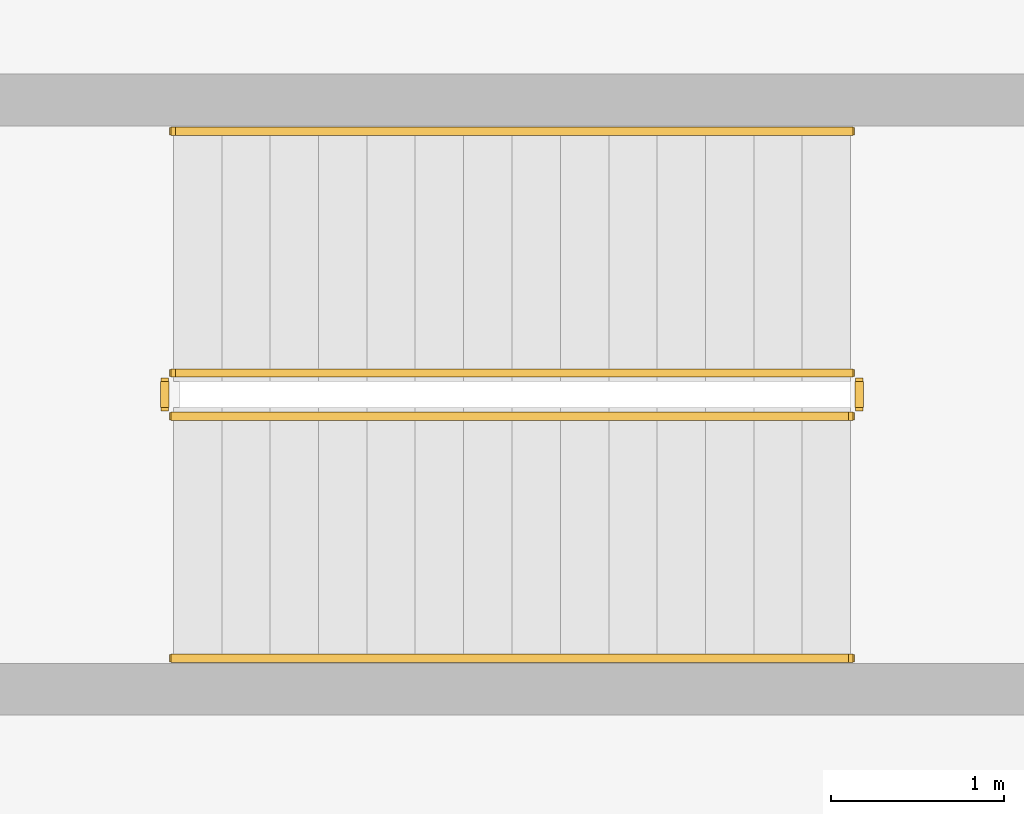
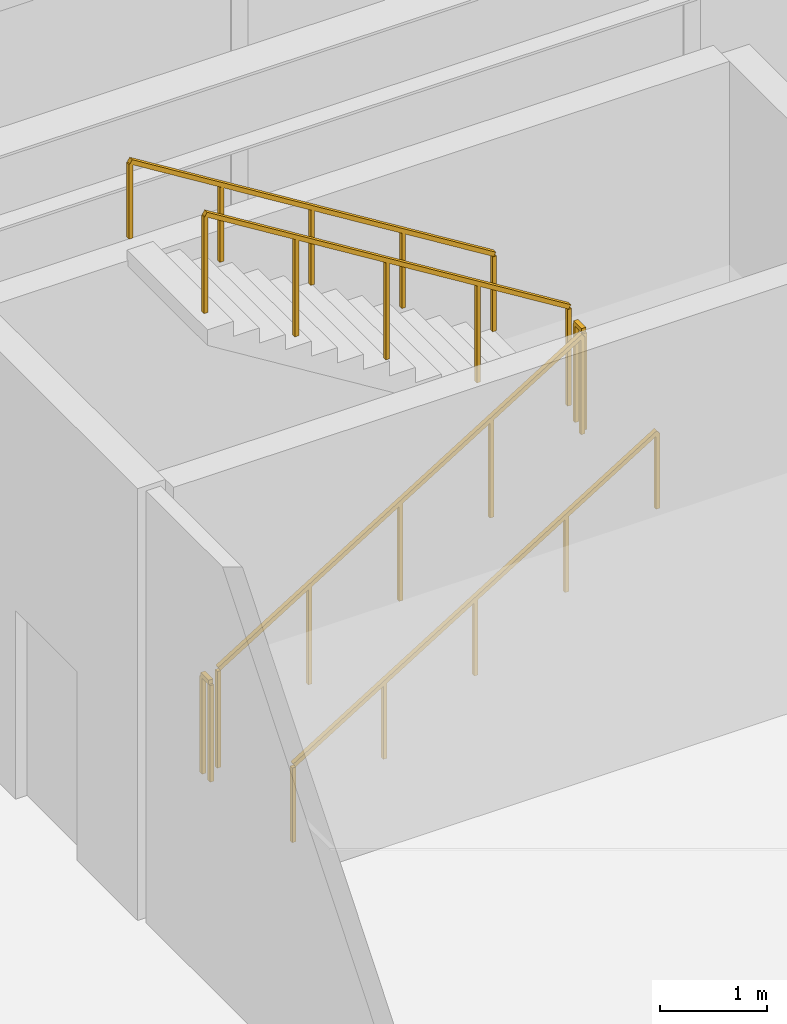
# One storey, part 20 of 22: 6 railings.
"""IFC4 building model written with IfcOpenShell, lengths in metres."""

from ifc_helpers import new_model, si_unit, direction, frame, origin, origin_2d, place, context, subcontext, project, spatial, rectangle, extrude, material, type_object, element, save


model = new_model("IFC4")

# Units and contexts
model_context = context("Model", 3, precision=1e-05, world=origin(), true_north=direction((0.0, 1.0)))
body_context = subcontext(model_context, "Body", "Model", "MODEL_VIEW")
ifc_project = project(units=[si_unit("LENGTHUNIT", "METRE"), si_unit("AREAUNIT", "SQUARE_METRE"), si_unit("VOLUMEUNIT", "CUBIC_METRE"), si_unit("PLANEANGLEUNIT", "RADIAN"), si_unit("MASSUNIT", "GRAM", prefix="KILO")], contexts=[model_context])

# Site, building, storey
site_placement = place(None, origin())
site = spatial("IfcSite", under=ifc_project, at=site_placement, CompositionType="ELEMENT")
building_placement = place(site_placement, origin())
building = spatial("IfcBuilding", under=site, at=building_placement, Name="Mawjaban Terraces University", CompositionType="ELEMENT")
storey_placement = place(building_placement, frame((0.0, 0.0, 5.199951171875)))
storey = spatial("IfcBuildingStorey", under=building, at=storey_placement, Name="L01", CompositionType="ELEMENT", Elevation=5.199951171875)

# Railings
ifc_material_1 = material(Name="Brushed stainless steel 316", Category="steel")
railing_type_1 = type_object("IfcRailingType", Name="StairWallHandrail_900", PredefinedType="HANDRAIL", material=ifc_material_1)
railing_1_placement = place(storey_placement, frame((60.10009765625, 24.64990234375, 0.17333984375)))
element("IfcRailing", 1, at=railing_1_placement, inside=storey, type_object=railing_type_1, Name="L01 ST-5 stair handrail 1", PredefinedType="HANDRAIL", context=body_context, shape_type="SweptSolid", body=[
    extrude(rectangle(XDim=0.048095703125, YDim=0.048095703125, at=origin_2d()), frame((0.0, 0.0, 0.8759765625), z_axis=(0.850251603719, 0.0, 0.526376491091), x_axis=(0.0, 1.0, 0.0)), (0.0, 0.0, 1.0), 4.6103515625),
    extrude(rectangle(XDim=0.0419921875, YDim=0.0419921875, at=origin_2d()), origin(), (0.0, 0.0, 1.0), 0.851806640625),
    extrude(rectangle(XDim=0.0419921875, YDim=0.0419921875, at=origin_2d()), frame((0.97998046875, 0.0, 0.606689453125)), (0.0, 0.0, 1.0), 0.851806640625),
    extrude(rectangle(XDim=0.0419921875, YDim=0.0419921875, at=origin_2d()), frame((1.9599609375, 0.0, 1.21337890625)), (0.0, 0.0, 1.0), 0.851806640625),
    extrude(rectangle(XDim=0.0419921875, YDim=0.0419921875, at=origin_2d()), frame((2.93994140625, 0.0, 1.820068359375)), (0.0, 0.0, 1.0), 0.851806640625),
    extrude(rectangle(XDim=0.0419921875, YDim=0.0419921875, at=origin_2d()), frame((3.919921875, 0.0, 2.4267578125)), (0.0, 0.0, 1.0), 0.851806640625),
])
railing_2_placement = place(storey_placement, frame((64.02001953125, 27.699951171875, 2.7734375)))
element("IfcRailing", 2, at=railing_2_placement, inside=storey, type_object=railing_type_1, Name="L01 ST-5 stair handrail 2", PredefinedType="HANDRAIL", context=body_context, shape_type="SweptSolid", body=[
    extrude(rectangle(XDim=0.048095703125, YDim=0.048095703125, at=origin_2d()), frame((0.0, 0.0, 0.8759765625), z_axis=(-0.850275303828, 0.0, 0.526338206574), x_axis=(0.0, -1.0, 0.0)), (0.0, 0.0, 1.0), 4.610107421875),
    extrude(rectangle(XDim=0.0419921875, YDim=0.0419921875, at=origin_2d()), origin(), (0.0, 0.0, 1.0), 0.851806640625),
    extrude(rectangle(XDim=0.0419921875, YDim=0.0419921875, at=origin_2d()), frame((-0.97998046875, 0.0, 0.606689453125)), (0.0, 0.0, 1.0), 0.851806640625),
    extrude(rectangle(XDim=0.0419921875, YDim=0.0419921875, at=origin_2d()), frame((-1.9599609375, 0.0, 1.21337890625)), (0.0, 0.0, 1.0), 0.851806640625),
    extrude(rectangle(XDim=0.0419921875, YDim=0.0419921875, at=origin_2d()), frame((-2.93994140625, 0.0, 1.81982421875)), (0.0, 0.0, 1.0), 0.851806640625),
    extrude(rectangle(XDim=0.0419921875, YDim=0.0419921875, at=origin_2d()), frame((-3.919921875, 0.0, 2.426513671875)), (0.0, 0.0, 1.0), 0.851806640625),
])
ifc_material_2 = material(Name="Galvanised painted steel S355", Category="steel")
railing_type_2 = type_object("IfcRailingType", Name="StairWellGuard_1150", PredefinedType="BALUSTRADE", material=ifc_material_2)
railing_3_placement = place(storey_placement, frame((60.10009765625, 26.050048828125, 0.17333984375)))
element("IfcRailing", 3, at=railing_3_placement, inside=storey, type_object=railing_type_2, Name="L01 ST-5 stair guard 1", PredefinedType="BALUSTRADE", context=body_context, shape_type="SweptSolid", body=[
    extrude(rectangle(XDim=0.048095703125, YDim=0.048095703125, at=origin_2d()), frame((0.0, 0.0, 1.1259765625), z_axis=(0.850251603719, 0.0, 0.526376491091), x_axis=(0.0, 1.0, 0.0)), (0.0, 0.0, 1.0), 4.6103515625),
    extrude(rectangle(XDim=0.0419921875, YDim=0.0419921875, at=origin_2d()), origin(), (0.0, 0.0, 1.0), 1.101806640625),
    extrude(rectangle(XDim=0.0419921875, YDim=0.0419921875, at=origin_2d()), frame((0.97998046875, 0.0, 0.606689453125)), (0.0, 0.0, 1.0), 1.101806640625),
    extrude(rectangle(XDim=0.0419921875, YDim=0.0419921875, at=origin_2d()), frame((1.9599609375, 0.0, 1.21337890625)), (0.0, 0.0, 1.0), 1.101806640625),
    extrude(rectangle(XDim=0.0419921875, YDim=0.0419921875, at=origin_2d()), frame((2.93994140625, 0.0, 1.820068359375)), (0.0, 0.0, 1.0), 1.101806640625),
    extrude(rectangle(XDim=0.0419921875, YDim=0.0419921875, at=origin_2d()), frame((3.919921875, 0.0, 2.4267578125)), (0.0, 0.0, 1.0), 1.101806640625),
])
railing_4_placement = place(storey_placement, frame((64.070068359375, 26.10009765625, 2.60009765625)))
element("IfcRailing", 4, at=railing_4_placement, inside=storey, type_object=railing_type_2, Name="L01 ST-5 stair guard 2", PredefinedType="BALUSTRADE", context=body_context, shape_type="SweptSolid", body=[
    extrude(rectangle(XDim=0.048095703125, YDim=0.048095703125, at=origin_2d()), frame((0.0, 0.0, 1.1259765625), z_axis=(0.0, 1.0, 0.0), x_axis=(-1.0, 0.0, 0.0)), (0.0, 0.0, 1.0), 0.14990234375),
    extrude(rectangle(XDim=0.0419921875, YDim=0.0419921875, at=origin_2d()), origin(), (0.0, 0.0, 1.0), 1.101806640625),
    extrude(rectangle(XDim=0.0419921875, YDim=0.0419921875, at=origin_2d()), frame((0.0, 0.14990234375, 0.0)), (0.0, 0.0, 1.0), 1.101806640625),
])
railing_5_placement = place(storey_placement, frame((64.02001953125, 26.300048828125, 2.7734375)))
element("IfcRailing", 5, at=railing_5_placement, inside=storey, type_object=railing_type_2, Name="L01 ST-5 stair guard 3", PredefinedType="BALUSTRADE", context=body_context, shape_type="SweptSolid", body=[
    extrude(rectangle(XDim=0.048095703125, YDim=0.048095703125, at=origin_2d()), frame((0.0, 0.0, 1.1259765625), z_axis=(-0.850275303828, 0.0, 0.526338206574), x_axis=(0.0, -1.0, 0.0)), (0.0, 0.0, 1.0), 4.610107421875),
    extrude(rectangle(XDim=0.0419921875, YDim=0.0419921875, at=origin_2d()), origin(), (0.0, 0.0, 1.0), 1.101806640625),
    extrude(rectangle(XDim=0.0419921875, YDim=0.0419921875, at=origin_2d()), frame((-0.97998046875, 0.0, 0.606689453125)), (0.0, 0.0, 1.0), 1.101806640625),
    extrude(rectangle(XDim=0.0419921875, YDim=0.0419921875, at=origin_2d()), frame((-1.9599609375, 0.0, 1.21337890625)), (0.0, 0.0, 1.0), 1.101806640625),
    extrude(rectangle(XDim=0.0419921875, YDim=0.0419921875, at=origin_2d()), frame((-2.93994140625, 0.0, 1.81982421875)), (0.0, 0.0, 1.0), 1.101806640625),
    extrude(rectangle(XDim=0.0419921875, YDim=0.0419921875, at=origin_2d()), frame((-3.919921875, 0.0, 2.426513671875)), (0.0, 0.0, 1.0), 1.101806640625),
])
railing_6_placement = place(storey_placement, frame((60.050048828125, 26.10009765625, 0.0)))
element("IfcRailing", 6, at=railing_6_placement, inside=storey, type_object=railing_type_2, Name="L01 ST-5 stair guard 4", PredefinedType="BALUSTRADE", context=body_context, shape_type="SweptSolid", body=[
    extrude(rectangle(XDim=0.048095703125, YDim=0.048095703125, at=origin_2d()), frame((0.0, 0.0, 1.1259765625), z_axis=(0.0, 1.0, 0.0), x_axis=(-1.0, 0.0, 0.0)), (0.0, 0.0, 1.0), 0.14990234375),
    extrude(rectangle(XDim=0.0419921875, YDim=0.0419921875, at=origin_2d()), origin(), (0.0, 0.0, 1.0), 1.101806640625),
    extrude(rectangle(XDim=0.0419921875, YDim=0.0419921875, at=origin_2d()), frame((0.0, 0.14990234375, 0.0)), (0.0, 0.0, 1.0), 1.101806640625),
])

save(model, "model.ifc")
